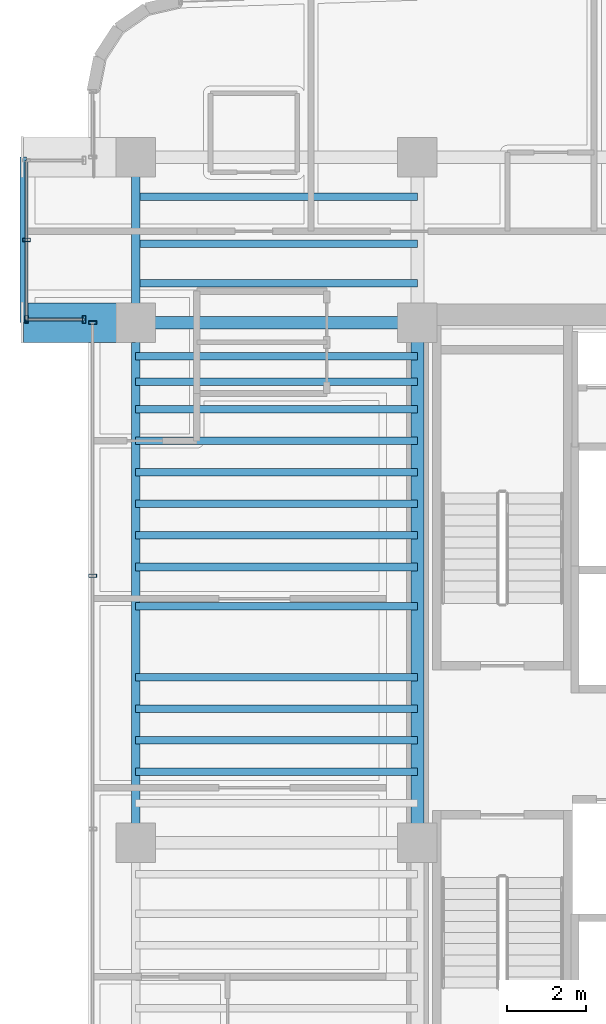
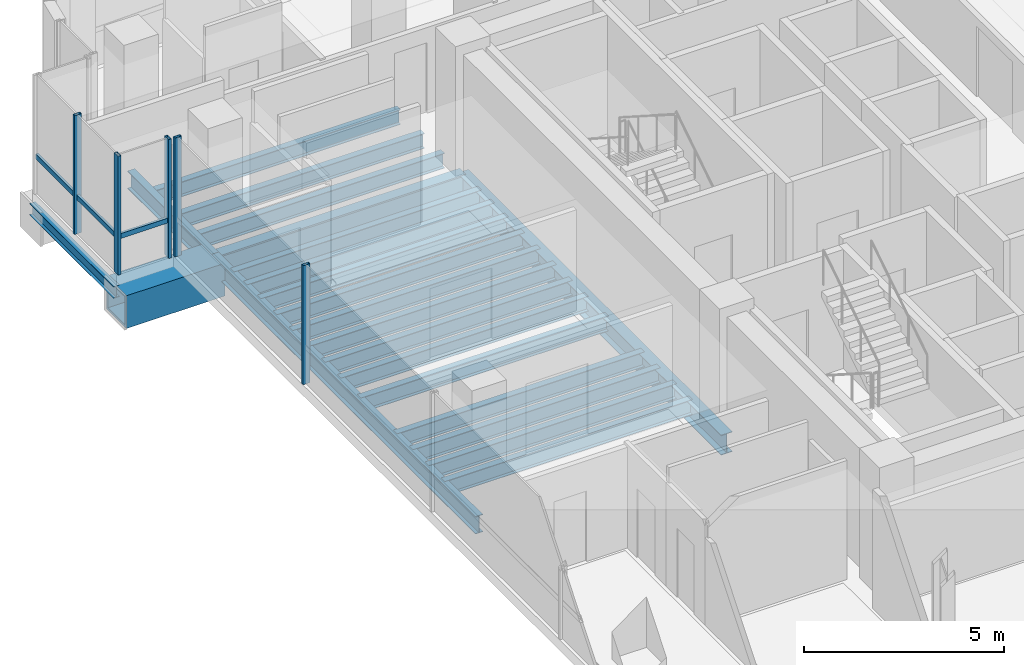
# One storey, part 8 of 39: 22 beams, 7 members, 3 elements without a shape of their own.
"""IFC4 building model written with IfcOpenShell, lengths in metres."""

from ifc_helpers import new_model, si_unit, direction, frame, origin, origin_2d, place, context, subcontext, project, spatial, hollow_rectangle, i_section, extrude, source, transform, mapped, material, material_profile, profile_set, type_object, element, aggregate, save


model = new_model("IFC4")

# Units and contexts
model_context = context("Model", 3, precision=1e-05, world=origin(), true_north=direction((0.0, 1.0)))
body_context = subcontext(model_context, "Body", "Model", "MODEL_VIEW")
ifc_project = project(units=[si_unit("LENGTHUNIT", "METRE"), si_unit("AREAUNIT", "SQUARE_METRE"), si_unit("VOLUMEUNIT", "CUBIC_METRE"), si_unit("PLANEANGLEUNIT", "RADIAN"), si_unit("MASSUNIT", "GRAM", prefix="KILO")], contexts=[model_context])

# Site, building, storey
site_placement = place(None, origin())
site = spatial("IfcSite", under=ifc_project, at=site_placement, CompositionType="ELEMENT")
building_placement = place(site_placement, origin())
building = spatial("IfcBuilding", under=site, at=building_placement, Name="Valdorenza Pilgrim Sanctuary Tower", CompositionType="ELEMENT")
storey_placement = place(building_placement, frame((0.0, 0.0, 184.449951171875)))
storey = spatial("IfcBuildingStorey", under=building, at=storey_placement, Name="L47", CompositionType="ELEMENT", Elevation=184.449951171875)

# Beams
ifc_material_1 = material(Name="Steel ASTM A992 Grade 50", Category="steel")
ifc_material_profile_1 = material_profile(ifc_material_1, i_section(OverallWidth=0.323974609375, OverallDepth=0.611083984375, WebThickness=0.0126953125, FlangeThickness=0.01904296875, at=origin_2d()), Name="W24X104")
ifc_profile_set_1 = profile_set([ifc_material_profile_1], Name="Steel ASTM A992 Grade 50")
beam_type_1 = type_object("IfcBeamType", Name="STR-BM-GRD-W24B", PredefinedType="BEAM", material=ifc_profile_set_1)
shared_shape_1 = source(origin(), body_context, "Body", "SweptSolid", [
    extrude(i_section(OverallWidth=0.323974609375, OverallDepth=0.611083984375, WebThickness=0.0126953125, FlangeThickness=0.01904296875, at=origin_2d()), origin(), (0.0, 0.0, 1.0), 13.2001953125),
])
beam_1_placement = place(storey_placement, frame((-22.64990234375, -2.60009765625, -0.62548828125), z_axis=(0.0, 1.0, 0.0), x_axis=(-1.0, 0.0, 0.0)))
element("IfcBeam", 1, at=beam_1_placement, inside=storey, type_object=beam_type_1, Name="L47 Core Tie Girder CA-W-M0N1", PredefinedType="BEAM", context=body_context, shape_type="MappedRepresentation", body=[
    mapped(shared_shape_1, transform((0.0, 0.0, 0.0), x_axis=(1.0, 0.0, 0.0), y_axis=(0.0, 1.0, 0.0), z_axis=(0.0, 0.0, 1.0), scale=1.0)),
])
ifc_material_profile_2 = material_profile(ifc_material_1, i_section(OverallWidth=0.1708984375, OverallDepth=0.35107421875, WebThickness=0.0068359375, FlangeThickness=0.009765625, at=origin_2d()), Name="W14X30")
ifc_profile_set_2 = profile_set([ifc_material_profile_2], Name="Steel ASTM A992 Grade 50")
beam_type_2 = type_object("IfcBeamType", Name="STR-BM-BOX-W14", PredefinedType="BEAM", material=ifc_profile_set_2)
shared_shape_2 = source(origin(), body_context, "Body", "SweptSolid", [
    extrude(i_section(OverallWidth=0.1708984375, OverallDepth=0.35107421875, WebThickness=0.0068359375, FlangeThickness=0.009765625, at=origin_2d()), origin(), (0.0, 0.0, 1.0), 4.199951171875),
])
beam_2_placement = place(storey_placement, frame((-32.64990234375, 10.60009765625, -0.495361328125), z_axis=(0.0, 1.0, 0.0), x_axis=(-1.0, 0.0, 0.0)))
element("IfcBeam", 2, at=beam_2_placement, inside=storey, type_object=beam_type_2, Name="L47 Glass Box Edge Beam BOX-WA-L47-F", PredefinedType="BEAM", context=body_context, shape_type="MappedRepresentation", body=[
    mapped(shared_shape_2, transform((0.0, 0.0, 0.0), x_axis=(1.0, 0.0, 0.0), y_axis=(0.0, 1.0, 0.0), z_axis=(0.0, 0.0, 1.0), scale=1.0)),
])
ifc_material_profile_3 = material_profile(ifc_material_1, i_section(OverallWidth=0.19091796875, OverallDepth=0.45703125, WebThickness=0.009033203125, FlangeThickness=0.014404296875, at=origin_2d()), Name="W18X50")
ifc_profile_set_3 = profile_set([ifc_material_profile_3], Name="Steel ASTM A992 Grade 50")
beam_type_3 = type_object("IfcBeamType", Name="STR-BM-JST-W18B", PredefinedType="JOIST", material=ifc_profile_set_3)
shared_shape_3 = source(origin(), body_context, "Body", "SweptSolid", [
    extrude(i_section(OverallWidth=0.19091796875, OverallDepth=0.45703125, WebThickness=0.009033203125, FlangeThickness=0.014404296875, at=origin_2d()), origin(), (0.0, 0.0, 1.0), 7.150146484375),
])
for number, where, z_axis, x_axis, name in (
    (3, (-29.800048828125, -0.800048828125, -0.54833984375), (1.0, 0.0, 0.0), (0.0, 1.0, 0.0), "L47 Composite Floor Joist JST-WA-11"),
    (4, (-29.800048828125, 0.0, -0.54833984375), (1.0, 0.0, 0.0), (0.0, 1.0, 0.0), "L47 Composite Floor Joist JST-WA-12"),
    (5, (-29.800048828125, 0.800048828125, -0.54833984375), (1.0, 0.0, 0.0), (0.0, 1.0, 0.0), "L47 Composite Floor Joist JST-WA-13"),
    (6, (-29.800048828125, 1.60009765625, -0.54833984375), (1.0, 0.0, 0.0), (0.0, 1.0, 0.0), "L47 Composite Floor Joist JST-WA-14"),
    (7, (-29.800048828125, 3.39990234375, -0.54833984375), (1.0, 0.0, 0.0), (0.0, 1.0, 0.0), "L47 Composite Floor Joist JST-WA-15"),
    (8, (-29.800048828125, 4.39990234375, -0.54833984375), (1.0, 0.0, 0.0), (0.0, 1.0, 0.0), "L47 Composite Floor Joist JST-WA-16"),
    (9, (-29.800048828125, 5.199951171875, -0.54833984375), (1.0, 0.0, 0.0), (0.0, 1.0, 0.0), "L47 Composite Floor Joist JST-WA-17"),
    (10, (-29.800048828125, 6.0, -0.54833984375), (1.0, 0.0, 0.0), (0.0, 1.0, 0.0), "L47 Composite Floor Joist JST-WA-18"),
    (11, (-29.800048828125, 6.800048828125, -0.54833984375), (1.0, 0.0, 0.0), (0.0, 1.0, 0.0), "L47 Composite Floor Joist JST-WA-19"),
    (12, (-29.800048828125, 7.60009765625, -0.54833984375), (1.0, 0.0, 0.0), (0.0, 1.0, 0.0), "L47 Composite Floor Joist JST-WA-20"),
    (13, (-29.800048828125, 8.39990234375, -0.54833984375), (1.0, 0.0, 0.0), (0.0, 1.0, 0.0), "L47 Composite Floor Joist JST-WA-21"),
    (14, (-29.800048828125, 9.10009765625, -0.54833984375), (1.0, 0.0, 0.0), (0.0, 1.0, 0.0), "L47 Composite Floor Joist JST-WA-22"),
    (15, (-29.800048828125, 9.75, -0.54833984375), (1.0, 0.0, 0.0), (0.0, 1.0, 0.0), "L47 Composite Floor Joist JST-WA-23"),
    (16, (-29.800048828125, 11.60009765625, -0.54833984375), (1.0, 0.0, 0.0), (0.0, 1.0, 0.0), "L47 Composite Floor Joist JST-WA-24"),
    (17, (-29.800048828125, 12.60009765625, -0.54833984375), (1.0, 0.0, 0.0), (0.0, 1.0, 0.0), "L47 Composite Floor Joist JST-WA-25"),
    (18, (-29.800048828125, 13.800048828125, -0.54833984375), (1.0, 0.0, 0.0), (0.0, 1.0, 0.0), "L47 Composite Floor Joist JST-WA-26"),
):
    element("IfcBeam", number, at=place(storey_placement, frame(where, z_axis=z_axis, x_axis=x_axis)), inside=storey, type_object=beam_type_3, Name=name, PredefinedType="JOIST", context=body_context, shape_type="MappedRepresentation", body=[
        mapped(shared_shape_3, transform((0.0, 0.0, 0.0), x_axis=(1.0, 0.0, 0.0), y_axis=(0.0, 1.0, 0.0), z_axis=(0.0, 0.0, 1.0), scale=1.0)),
    ])
ifc_material_2 = material(Name="Steel ASTM A572 Grade 42", Category="steel")
ifc_material_profile_4 = material_profile(ifc_material_2, hollow_rectangle(XDim=1.0, YDim=1.0, WallThickness=0.080078125, at=origin_2d()), Name="BOX 1000x1000x80")
ifc_profile_set_4 = profile_set([ifc_material_profile_4], Name="Steel ASTM A572 Grade 42")
beam_type_4 = type_object("IfcBeamType", Name="STR-BM-PROW-CANT", PredefinedType="BEAM", material=ifc_profile_set_4)
shared_shape_4 = source(origin(), body_context, "Body", "SweptSolid", [
    extrude(hollow_rectangle(XDim=1.0, YDim=1.0, WallThickness=0.080078125, at=origin_2d()), origin(), (0.0, 0.0, 1.0), 2.849853515625),
])
beam_3_placement = place(storey_placement, frame((-29.800048828125, 10.60009765625, -0.820068359375), z_axis=(-1.0, 0.0, 0.0), x_axis=(0.0, -1.0, 0.0)))
element("IfcBeam", 19, at=beam_3_placement, inside=storey, type_object=beam_type_4, Name="L47 Glass Box Cantilever Beam BOX-WA-L47-CT-S", PredefinedType="BEAM", context=body_context, shape_type="MappedRepresentation", body=[
    mapped(shared_shape_4, transform((0.0, 0.0, 0.0), x_axis=(1.0, 0.0, 0.0), y_axis=(0.0, 1.0, 0.0), z_axis=(0.0, 0.0, 1.0), scale=1.0)),
])
ifc_material_profile_5 = material_profile(ifc_material_1, i_section(OverallWidth=0.2109375, OverallDepth=0.5390625, WebThickness=0.01171875, FlangeThickness=0.018798828125, at=origin_2d()), Name="W21X73")
ifc_profile_set_5 = profile_set([ifc_material_profile_5], Name="Steel ASTM A992 Grade 50")
beam_type_5 = type_object("IfcBeamType", Name="STR-BM-SPN-W21B", PredefinedType="SPANDREL", material=ifc_profile_set_5)
shared_shape_5 = source(origin(), body_context, "Body", "SweptSolid", [
    extrude(i_section(OverallWidth=0.2109375, OverallDepth=0.5390625, WebThickness=0.01171875, FlangeThickness=0.018798828125, at=origin_2d()), origin(), (0.0, 0.0, 1.0), 13.2001953125),
])
beam_4_placement = place(storey_placement, frame((-29.800048828125, -2.60009765625, -0.58935546875), z_axis=(0.0, 1.0, 0.0), x_axis=(-1.0, 0.0, 0.0)))
element("IfcBeam", 20, at=beam_4_placement, inside=storey, type_object=beam_type_5, Name="L47 Spandrel Beam WA-W-M0N1", PredefinedType="SPANDREL", context=body_context, shape_type="MappedRepresentation", body=[
    mapped(shared_shape_5, transform((0.0, 0.0, 0.0), x_axis=(1.0, 0.0, 0.0), y_axis=(0.0, 1.0, 0.0), z_axis=(0.0, 0.0, 1.0), scale=1.0)),
])
shared_shape_6 = source(origin(), body_context, "Body", "SweptSolid", [
    extrude(i_section(OverallWidth=0.2109375, OverallDepth=0.5390625, WebThickness=0.01171875, FlangeThickness=0.018798828125, at=origin_2d()), origin(), (0.0, 0.0, 1.0), 4.199951171875),
])
beam_5_placement = place(storey_placement, frame((-29.800048828125, 10.60009765625, -0.58935546875), z_axis=(0.0, 1.0, 0.0), x_axis=(-1.0, 0.0, 0.0)))
element("IfcBeam", 21, at=beam_5_placement, inside=storey, type_object=beam_type_5, Name="L47 Spandrel Beam WA-W-N1N2", PredefinedType="SPANDREL", context=body_context, shape_type="MappedRepresentation", body=[
    mapped(shared_shape_6, transform((0.0, 0.0, 0.0), x_axis=(1.0, 0.0, 0.0), y_axis=(0.0, 1.0, 0.0), z_axis=(0.0, 0.0, 1.0), scale=1.0)),
])
ifc_material_profile_6 = material_profile(ifc_material_1, i_section(OverallWidth=0.31005859375, OverallDepth=0.949951171875, WebThickness=0.0244140625, FlangeThickness=0.0439453125, at=origin_2d()), Name="W36X256")
ifc_profile_set_6 = profile_set([ifc_material_profile_6], Name="Steel ASTM A992 Grade 50")
beam_type_6 = type_object("IfcBeamType", Name="STR-BM-GRD-W36B", PredefinedType="BEAM", material=ifc_profile_set_6)
shared_shape_7 = source(origin(), body_context, "Body", "SweptSolid", [
    extrude(i_section(OverallWidth=0.31005859375, OverallDepth=0.949951171875, WebThickness=0.0244140625, FlangeThickness=0.0439453125, at=origin_2d()), origin(), (0.0, 0.0, 1.0), 7.150146484375),
])
beam_6_placement = place(storey_placement, frame((-29.800048828125, 10.60009765625, -0.794921875), z_axis=(1.0, 0.0, 0.0), x_axis=(0.0, 1.0, 0.0)))
element("IfcBeam", 22, at=beam_6_placement, inside=storey, type_object=beam_type_6, Name="L47 Floor Girder WA-XW-N1", PredefinedType="BEAM", context=body_context, shape_type="MappedRepresentation", body=[
    mapped(shared_shape_7, transform((0.0, 0.0, 0.0), x_axis=(1.0, 0.0, 0.0), y_axis=(0.0, 1.0, 0.0), z_axis=(0.0, 0.0, 1.0), scale=1.0)),
])

# Curtain wall, member
ifc_material_3 = material(Name="Curtain-wall IGU glazing", Category="glass")
curtain_wall_type = type_object("IfcCurtainWallType", Name="CW-SYS-02", PredefinedType="NOTDEFINED", material=ifc_material_3)
curtain_wall_1_placement = place(storey_placement, origin())
curtain_wall_1 = element("IfcCurtainWall", 23, at=curtain_wall_1_placement, inside=storey, type_object=curtain_wall_type, Name="L47 Curtain Wall CW-L47-BOX-WA-L47-S", PredefinedType="NOTDEFINED")
ifc_material_4 = material(Name="Anodised aluminium AW-6060", Category="aluminium")
ifc_material_profile_7 = material_profile(ifc_material_4, hollow_rectangle(XDim=0.074951171875, YDim=0.14990234375, WallThickness=0.00390625, at=origin_2d()), Name="ALU-T 150x75x4")
ifc_profile_set_7 = profile_set([ifc_material_profile_7], Name="Anodised aluminium AW-6060")
member_type_1 = type_object("IfcMemberType", Name="CW-TRN-02", PredefinedType="USERDEFINED", material=ifc_profile_set_7)
shared_shape_8 = source(origin(), body_context, "Body", "SweptSolid", [
    extrude(hollow_rectangle(XDim=0.074951171875, YDim=0.14990234375, WallThickness=0.00390625, at=origin_2d()), origin(), (0.0, 0.0, 1.0), 1.4599609375),
])
member_1_placement = place(storey_placement, frame((-31.110107421875, 10.679931640625, 1.1201171875), z_axis=(-1.0, 0.0, 0.0), x_axis=(0.0, -1.0, 0.0)))
member_1 = element("IfcMember", 24, at=member_1_placement, type_object=member_type_1, Name="CW-L47-BOX-WA-L47-S Transom 1", ObjectType="TRANSOM", PredefinedType="USERDEFINED", context=body_context, shape_type="MappedRepresentation", body=[
    mapped(shared_shape_8, transform((0.0, 0.0, 0.0), x_axis=(1.0, 0.0, 0.0), y_axis=(0.0, 1.0, 0.0), z_axis=(0.0, 0.0, 1.0), scale=1.0)),
])

curtain_wall_2_placement = place(storey_placement, origin())
curtain_wall_2 = element("IfcCurtainWall", 25, at=curtain_wall_2_placement, inside=storey, type_object=curtain_wall_type, Name="L47 Curtain Wall CW-L47-BOX-WA-L47-F", PredefinedType="NOTDEFINED")
shared_shape_9 = source(origin(), body_context, "Body", "SweptSolid", [
    extrude(hollow_rectangle(XDim=0.074951171875, YDim=0.14990234375, WallThickness=0.00390625, at=origin_2d()), origin(), (0.0, 0.0, 1.0), 4.0400390625),
])
member_2_placement = place(storey_placement, frame((-32.570068359375, 10.679931640625, 1.1201171875), z_axis=(0.0, 1.0, 0.0), x_axis=(-1.0, 0.0, 0.0)))
member_2 = element("IfcMember", 26, at=member_2_placement, type_object=member_type_1, Name="CW-L47-BOX-WA-L47-F Transom 1", ObjectType="TRANSOM", PredefinedType="USERDEFINED", context=body_context, shape_type="MappedRepresentation", body=[
    mapped(shared_shape_9, transform((0.0, 0.0, 0.0), x_axis=(1.0, 0.0, 0.0), y_axis=(0.0, 1.0, 0.0), z_axis=(0.0, 0.0, 1.0), scale=1.0)),
])

# Curtain wall, members
curtain_wall_3_placement = place(storey_placement, origin())
curtain_wall_3 = element("IfcCurtainWall", 27, at=curtain_wall_3_placement, inside=storey, type_object=curtain_wall_type, Name="L47 Curtain Wall CW-L47-1-1S1", PredefinedType="NOTDEFINED")
ifc_material_profile_8 = material_profile(ifc_material_4, hollow_rectangle(XDim=0.0849609375, YDim=0.199951171875, WallThickness=0.0048828125, at=origin_2d()), Name="ALU-M 200x85x5")
ifc_profile_set_8 = profile_set([ifc_material_profile_8], Name="Anodised aluminium AW-6060")
member_type_2 = type_object("IfcMemberType", Name="CW-MUL-02", PredefinedType="MULLION", material=ifc_profile_set_8)
shared_shape_10 = source(origin(), body_context, "Body", "SweptSolid", [
    extrude(hollow_rectangle(XDim=0.0849609375, YDim=0.199951171875, WallThickness=0.0048828125, at=origin_2d()), origin(), (0.0, 0.0, 1.0), 3.630126953125),
])
member_3_placement = place(storey_placement, frame((-30.889892578125, 4.177734375, 0.0), z_axis=(0.0, 0.0, 1.0), x_axis=(0.0, 1.0, 0.0)))
member_3 = element("IfcMember", 28, at=member_3_placement, type_object=member_type_2, Name="CW-L47-1-1S1 Mullion 4", PredefinedType="MULLION", context=body_context, shape_type="MappedRepresentation", body=[
    mapped(shared_shape_10, transform((0.0, 0.0, 0.0), x_axis=(1.0, 0.0, 0.0), y_axis=(0.0, 1.0, 0.0), z_axis=(0.0, 0.0, 1.0), scale=1.0)),
])
member_4_placement = place(storey_placement, frame((-30.889892578125, 10.60009765625, 0.0), z_axis=(0.0, 0.0, 1.0), x_axis=(0.0, 1.0, 0.0)))
member_4 = element("IfcMember", 29, at=member_4_placement, type_object=member_type_2, Name="CW-L47-1-1S1 Mullion 5", PredefinedType="MULLION", context=body_context, shape_type="MappedRepresentation", body=[
    mapped(shared_shape_10, transform((0.0, 0.0, 0.0), x_axis=(1.0, 0.0, 0.0), y_axis=(0.0, 1.0, 0.0), z_axis=(0.0, 0.0, 1.0), scale=1.0)),
])
aggregate(curtain_wall_3, [member_3, member_4])

# Member
member_5_placement = place(storey_placement, frame((-31.110107421875, 10.679931640625, 0.0), z_axis=(0.0, 0.0, 1.0), x_axis=(-1.0, 0.0, 0.0)))
member_5 = element("IfcMember", 30, at=member_5_placement, type_object=member_type_2, Name="CW-L47-BOX-WA-L47-S Mullion 1", PredefinedType="MULLION", context=body_context, shape_type="MappedRepresentation", body=[
    mapped(shared_shape_10, transform((0.0, 0.0, 0.0), x_axis=(1.0, 0.0, 0.0), y_axis=(0.0, 1.0, 0.0), z_axis=(0.0, 0.0, 1.0), scale=1.0)),
])

member_6_placement = place(storey_placement, frame((-32.570068359375, 10.679931640625, 0.0), z_axis=(0.0, 0.0, 1.0), x_axis=(-1.0, 0.0, 0.0)))
member_6 = element("IfcMember", 31, at=member_6_placement, type_object=member_type_2, Name="CW-L47-BOX-WA-L47-S Mullion 2", PredefinedType="MULLION", context=body_context, shape_type="MappedRepresentation", body=[
    mapped(shared_shape_10, transform((0.0, 0.0, 0.0), x_axis=(1.0, 0.0, 0.0), y_axis=(0.0, 1.0, 0.0), z_axis=(0.0, 0.0, 1.0), scale=1.0)),
])

aggregate(curtain_wall_1, [member_5, member_6, member_1])

member_7_placement = place(storey_placement, frame((-32.570068359375, 12.699951171875, 0.0), z_axis=(0.0, 0.0, 1.0), x_axis=(0.0, 1.0, 0.0)))
member_7 = element("IfcMember", 32, at=member_7_placement, type_object=member_type_2, Name="CW-L47-BOX-WA-L47-F Mullion 2", PredefinedType="MULLION", context=body_context, shape_type="MappedRepresentation", body=[
    mapped(shared_shape_10, transform((0.0, 0.0, 0.0), x_axis=(1.0, 0.0, 0.0), y_axis=(0.0, 1.0, 0.0), z_axis=(0.0, 0.0, 1.0), scale=1.0)),
])

aggregate(curtain_wall_2, [member_7, member_2])

save(model, "model.ifc")
